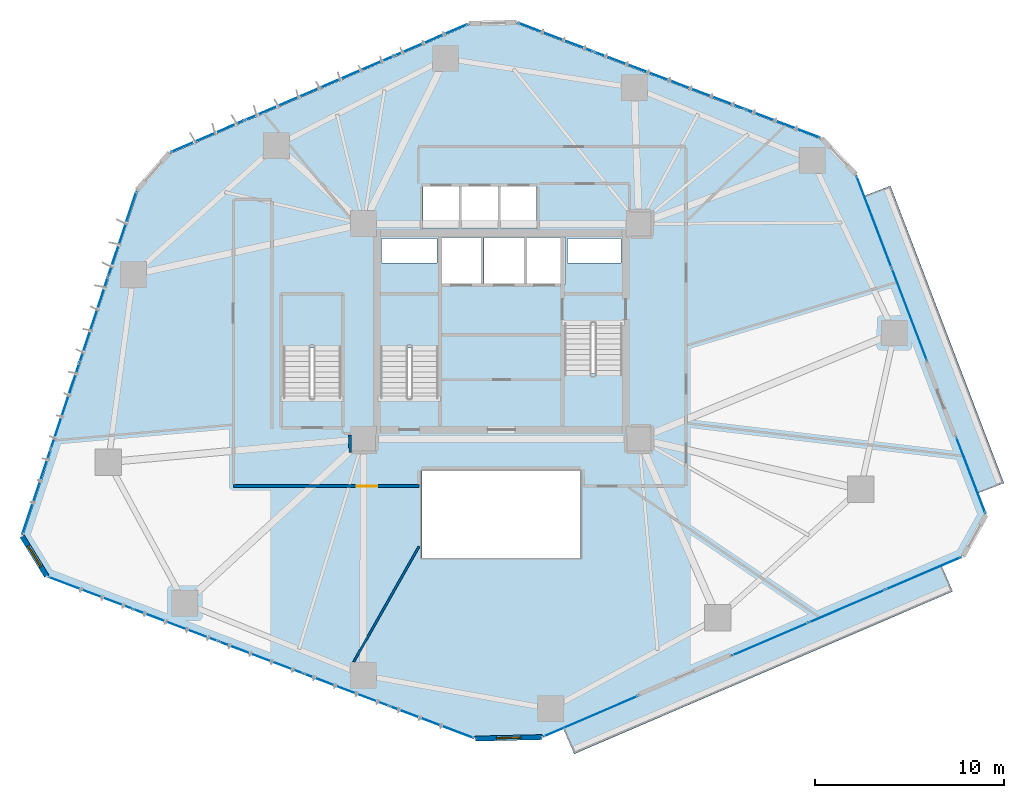
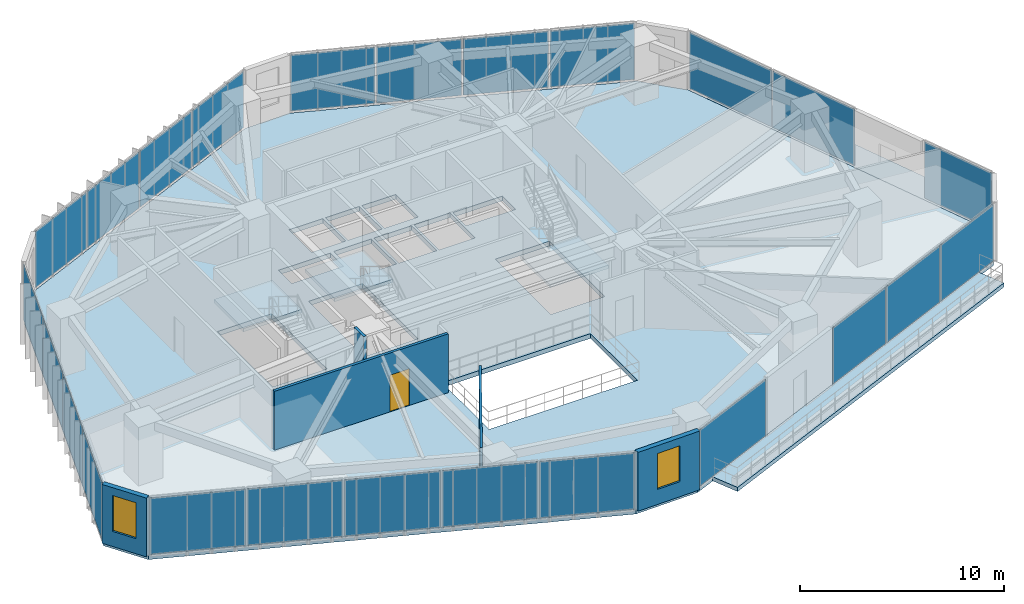
# One storey, part 17 of 23: 24 plates, 6 slabs, 5 walls, 2 windows, 1 door, 3 openings, 11 elements without a shape of their own.
"""IFC4 building model written with IfcOpenShell, lengths in metres."""

from ifc_helpers import new_model, si_unit, direction, frame, frame_2d, origin, origin_2d, place, context, subcontext, project, spatial, polyline, rectangle, outline, extrude, source, transform, mapped, material, layer, layer_set, type_object, type_shapes, element, fill, aggregate, save


model = new_model("IFC4")

# Units and contexts
model_context = context("Model", 3, precision=1e-05, world=origin(), true_north=direction((0.0, 1.0)))
body_context = subcontext(model_context, "Body", "Model", "MODEL_VIEW")
ifc_project = project(units=[si_unit("LENGTHUNIT", "METRE"), si_unit("AREAUNIT", "SQUARE_METRE"), si_unit("VOLUMEUNIT", "CUBIC_METRE"), si_unit("PLANEANGLEUNIT", "RADIAN"), si_unit("MASSUNIT", "GRAM", prefix="KILO")], contexts=[model_context])

# Site, building, storey
site_placement = place(None, origin())
site = spatial("IfcSite", under=ifc_project, at=site_placement, CompositionType="ELEMENT")
building_placement = place(site_placement, origin())
building = spatial("IfcBuilding", under=site, at=building_placement, Name="Talar Marvaseh", CompositionType="ELEMENT")
storey_placement = place(building_placement, frame((0.0, 0.0, 27.800048828125)))
storey = spatial("IfcBuildingStorey", under=building, at=storey_placement, Name="L06", CompositionType="ELEMENT", Elevation=27.800048828125)

# Slabs
ifc_material_1 = material(Name="Concrete C40/50", Category="concrete")
ifc_layer_1 = layer(ifc_material_1, 0.2451171875)
ifc_layer_set_1 = layer_set([ifc_layer_1], Name="Concrete C40/50")
slab_type_1 = type_object("IfcSlabType", Name="External Cantilevered Planted Terrace Slab 245", PredefinedType="FLOOR", material=ifc_layer_set_1)
slab_1_placement = place(storey_placement, frame((0.0, 0.0, -0.2451171875)))
element("IfcSlab", 1, at=slab_1_placement, inside=storey, type_object=slab_type_1, Name="L06 Planted Balcony Terrace 1", PredefinedType="FLOOR", context=body_context, shape_type="SweptSolid", body=[
    extrude(outline(polyline([(45.18115234375, 38.36279296875), (51.19921875, 22.606689453125), (52.647216796875, 23.15966796875), (46.629150390625, 38.916015625), (45.18115234375, 38.36279296875)])), origin(), (0.0, 0.0, 1.0), 0.2451171875),
])
slab_2_placement = place(storey_placement, frame((0.0, 0.0, -0.2451171875)))
element("IfcSlab", 2, at=slab_2_placement, inside=storey, type_object=slab_type_1, Name="L06 Planted Balcony Terrace 2", PredefinedType="FLOOR", context=body_context, shape_type="SweptSolid", body=[
    extrude(outline(polyline([(49.313720703125, 18.84326171875), (29.25830078125, 10.230224609375), (29.869873046875, 8.80615234375), (49.92529296875, 17.4189453125), (49.313720703125, 18.84326171875)])), origin(), (0.0, 0.0, 1.0), 0.2451171875),
])

# Stair, slab
stair_type = type_object("IfcStairType", Name="Reinforced Concrete Half-Turn Exit Stair Type B", PredefinedType="HALF_TURN_STAIR", material=ifc_material_1)
stair_1_placement = place(storey_placement, origin())
stair_1 = element("IfcStair", 3, at=stair_1_placement, inside=storey, type_object=stair_type, Name="L06 Tower West Core Exit Stair", PredefinedType="HALF_TURN_STAIR")
ifc_layer_2 = layer(ifc_material_1, 0.199951171875)
ifc_layer_set_2 = layer_set([ifc_layer_2], Name="Concrete C40/50")
slab_type_2 = type_object("IfcSlabType", Name="Reinforced Concrete Stair Half-Landing Slab 200", PredefinedType="LANDING", material=ifc_layer_set_2)
slab_3_placement = place(storey_placement, frame((0.0, 0.0, 1.699951171875)))
slab_3 = element("IfcSlab", 4, at=slab_3_placement, type_object=slab_type_2, Name="ST-1 landing 1", PredefinedType="LANDING", context=body_context, shape_type="SweptSolid", body=[
    extrude(outline(polyline([(22.780029296875, 30.330078125), (22.780029296875, 33.219970703125), (19.47998046875, 33.219970703125), (19.47998046875, 30.330078125), (22.780029296875, 30.330078125)])), origin(), (0.0, 0.0, 1.0), 0.199951171875),
])
aggregate(stair_1, [slab_3])

stair_2_placement = place(storey_placement, origin())
stair_2 = element("IfcStair", 5, at=stair_2_placement, inside=storey, type_object=stair_type, Name="L06 Tower East Core Exit Stair", PredefinedType="HALF_TURN_STAIR")
slab_4_placement = place(storey_placement, frame((0.0, 0.0, 1.699951171875)))
slab_4 = element("IfcSlab", 6, at=slab_4_placement, type_object=slab_type_2, Name="ST-2 landing 1", PredefinedType="LANDING", context=body_context, shape_type="SweptSolid", body=[
    extrude(outline(polyline([(29.219970703125, 28.969970703125), (29.219970703125, 26.080078125), (32.52001953125, 26.080078125), (32.52001953125, 28.969970703125), (29.219970703125, 28.969970703125)])), origin(), (0.0, 0.0, 1.0), 0.199951171875),
])
aggregate(stair_2, [slab_4])

stair_3_placement = place(storey_placement, origin())
stair_3 = element("IfcStair", 7, at=stair_3_placement, inside=storey, type_object=stair_type, Name="L06 Museum & Podium Auxiliary Exit Stair", PredefinedType="HALF_TURN_STAIR")
slab_5_placement = place(storey_placement, frame((0.0, 0.0, 1.699951171875)))
slab_5 = element("IfcSlab", 8, at=slab_5_placement, type_object=slab_type_2, Name="ST-3 landing 1", PredefinedType="LANDING", context=body_context, shape_type="SweptSolid", body=[
    extrude(outline(polyline([(17.6201171875, 30.330078125), (17.6201171875, 33.219970703125), (14.320068359375, 33.219970703125), (14.320068359375, 30.330078125), (17.6201171875, 30.330078125)])), origin(), (0.0, 0.0, 1.0), 0.199951171875),
])
aggregate(stair_3, [slab_5])

# Slab
ifc_layer_3 = layer(ifc_material_1, 0.280029296875)
ifc_layer_set_3 = layer_set([ifc_layer_3], Name="Concrete C40/50")
slab_type_3 = type_object("IfcSlabType", Name="Structural Suspended Floor Slab 280", PredefinedType="FLOOR", material=ifc_layer_set_3)
slab_6_placement = place(storey_placement, frame((0.0, 0.0, -0.280029296875)))
element("IfcSlab", 9, at=slab_6_placement, inside=storey, type_object=slab_type_3, Name="L06 Tower Floor Slab", PredefinedType="FLOOR", context=body_context, shape_type="SweptSolid", body=[
    extrude(outline(polyline([(1.9638671875, 18.259521484375), (0.659423828125, 20.37353515625), (6.7421875, 38.654541015625), (8.46728515625, 40.630615234375), (24.30615234375, 47.457763671875), (26.821533203125, 47.5126953125), (42.943115234375, 41.3828125), (44.7529296875, 39.48388671875), (51.627197265625, 21.485595703125), (50.416259765625, 19.316650390625), (28.155517578125, 9.7568359375), (24.620361328125, 9.6796875), (1.9638671875, 18.259521484375)]), holes=[polyline([(22.659912109375, 27.64990234375), (22.659912109375, 33.10009765625), (19.60009765625, 33.10009765625), (19.60009765625, 27.64990234375), (22.659912109375, 27.64990234375)]), polyline([(29.340087890625, 31.64990234375), (29.340087890625, 26.199951171875), (32.39990234375, 26.199951171875), (32.39990234375, 31.64990234375), (29.340087890625, 31.64990234375)]), polyline([(17.5, 27.64990234375), (17.5, 33.10009765625), (14.43994140625, 33.10009765625), (14.43994140625, 27.64990234375), (17.5, 27.64990234375)]), polyline([(22.800048828125, 33.719970703125), (24.93994140625, 33.719970703125), (24.93994140625, 36.179931640625), (22.800048828125, 36.179931640625), (22.800048828125, 33.719970703125)]), polyline([(25.080078125, 33.719970703125), (27.219970703125, 33.719970703125), (27.219970703125, 36.179931640625), (25.080078125, 36.179931640625), (25.080078125, 33.719970703125)]), polyline([(27.360107421875, 33.719970703125), (29.39990234375, 33.719970703125), (29.39990234375, 36.179931640625), (27.360107421875, 36.179931640625), (27.360107421875, 33.719970703125)]), polyline([(21.840087890625, 36.659912109375), (23.760009765625, 36.659912109375), (23.760009765625, 38.8798828125), (21.840087890625, 38.8798828125), (21.840087890625, 36.659912109375)]), polyline([(23.89990234375, 36.659912109375), (25.820068359375, 36.659912109375), (25.820068359375, 38.8798828125), (23.89990234375, 38.8798828125), (23.89990234375, 36.659912109375)]), polyline([(25.9599609375, 36.659912109375), (27.8798828125, 36.659912109375), (27.8798828125, 38.8798828125), (25.9599609375, 38.8798828125), (25.9599609375, 36.659912109375)]), polyline([(19.659912109375, 34.840087890625), (22.60009765625, 34.840087890625), (22.60009765625, 36.139892578125), (19.659912109375, 36.139892578125), (19.659912109375, 34.840087890625)]), polyline([(29.52001953125, 34.840087890625), (32.340087890625, 34.840087890625), (32.340087890625, 36.139892578125), (29.52001953125, 36.139892578125), (29.52001953125, 34.840087890625)]), polyline([(21.800048828125, 19.199951171875), (30.199951171875, 19.199951171875), (30.199951171875, 23.800048828125), (21.800048828125, 23.800048828125), (21.800048828125, 19.199951171875)])]), origin(), (0.0, 0.0, 1.0), 0.280029296875),
])

# Curtain wall, plates
ifc_material_2 = material(Name="Architectural Aluminium", Category="aluminium")
ifc_layer_4 = layer(ifc_material_2, 0.219970703125)
ifc_layer_set_4 = layer_set([ifc_layer_4], Name="Architectural Aluminium")
curtain_wall_type = type_object("IfcCurtainWallType", Name="Unitised Low-E Museum Curtain Wall Z1", PredefinedType="NOTDEFINED", material=ifc_layer_set_4)
curtain_wall_1_placement = place(storey_placement, origin())
curtain_wall_1 = element("IfcCurtainWall", 10, at=curtain_wall_1_placement, inside=storey, type_object=curtain_wall_type, Name="L06 Unitised Low-E Museum Curtain Wall Z1", PredefinedType="NOTDEFINED")
ifc_material_3 = material(Name="Laminated Low-E Solar Glass", Category="glass")
ifc_layer_5 = layer(ifc_material_3, 0.028076171875)
ifc_layer_set_5 = layer_set([ifc_layer_5], Name="Laminated Low-E Solar Glass")
plate_type = type_object("IfcPlateType", Name="Double-Glazed Low-E Vision Curtain Panel 28", PredefinedType="CURTAIN_PANEL", material=ifc_layer_set_5)
shared_shape_1 = source(origin(), body_context, "Body", "SweptSolid", [
    extrude(rectangle(XDim=4.696533203125, YDim=0.028076171875, at=origin_2d()), origin(), (0.0, 0.0, 1.0), 3.3701171875),
])
plate_1_placement = place(storey_placement, frame((1.369140625, 22.696533203125, 0.074951171875), z_axis=(0.0, 0.0, 1.0), x_axis=(0.3157154291, 0.948853923335, 0.0)))
plate_1 = element("IfcPlate", 11, at=plate_1_placement, type_object=plate_type, Name="CW-Z1 panel 1.1", PredefinedType="CURTAIN_PANEL", context=body_context, shape_type="MappedRepresentation", body=[
    mapped(shared_shape_1, transform((0.0, 0.0, 0.0), x_axis=(1.0, 0.0, 0.0), y_axis=(0.0, 1.0, 0.0), z_axis=(0.0, 0.0, 1.0), scale=1.0)),
])
plate_2_placement = place(storey_placement, frame((5.91845703125, 36.369384765625, 0.074951171875), z_axis=(0.0, 0.0, 1.0), x_axis=(0.3157154291, 0.948853923335, 0.0)))
plate_2 = element("IfcPlate", 12, at=plate_2_placement, type_object=plate_type, Name="CW-Z1 panel 4.1", PredefinedType="CURTAIN_PANEL", context=body_context, shape_type="MappedRepresentation", body=[
    mapped(shared_shape_1, transform((0.0, 0.0, 0.0), x_axis=(1.0, 0.0, 0.0), y_axis=(0.0, 1.0, 0.0), z_axis=(0.0, 0.0, 1.0), scale=1.0)),
])
shared_shape_2 = source(origin(), body_context, "Body", "SweptSolid", [
    extrude(rectangle(XDim=4.736572265625, YDim=0.028076171875, at=origin_2d()), origin(), (0.0, 0.0, 1.0), 3.3701171875),
])
plate_3_placement = place(storey_placement, frame((2.883544921875, 27.247802734375, 0.074951171875), z_axis=(0.0, 0.0, 1.0), x_axis=(0.3157154291, 0.948853923335, 0.0)))
plate_3 = element("IfcPlate", 13, at=plate_3_placement, type_object=plate_type, Name="CW-Z1 panel 2.1", PredefinedType="CURTAIN_PANEL", context=body_context, shape_type="MappedRepresentation", body=[
    mapped(shared_shape_2, transform((0.0, 0.0, 0.0), x_axis=(1.0, 0.0, 0.0), y_axis=(0.0, 1.0, 0.0), z_axis=(0.0, 0.0, 1.0), scale=1.0)),
])
plate_4_placement = place(storey_placement, frame((4.404296875, 31.818115234375, 0.074951171875), z_axis=(0.0, 0.0, 1.0), x_axis=(0.3157154291, 0.948853923335, 0.0)))
plate_4 = element("IfcPlate", 14, at=plate_4_placement, type_object=plate_type, Name="CW-Z1 panel 3.1", PredefinedType="CURTAIN_PANEL", context=body_context, shape_type="MappedRepresentation", body=[
    mapped(shared_shape_2, transform((0.0, 0.0, 0.0), x_axis=(1.0, 0.0, 0.0), y_axis=(0.0, 1.0, 0.0), z_axis=(0.0, 0.0, 1.0), scale=1.0)),
])
aggregate(curtain_wall_1, [plate_1, plate_3, plate_4, plate_2])

curtain_wall_2_placement = place(storey_placement, origin())
curtain_wall_2 = element("IfcCurtainWall", 15, at=curtain_wall_2_placement, inside=storey, type_object=curtain_wall_type, Name="L06 Unitised Low-E Museum Curtain Wall Z1", PredefinedType="NOTDEFINED")
shared_shape_3 = source(origin(), body_context, "Body", "SweptSolid", [
    extrude(rectangle(XDim=4.19189453125, YDim=0.028076171875, at=origin_2d()), origin(), (0.0, 0.0, 1.0), 3.3701171875),
])
plate_5_placement = place(storey_placement, frame((10.44189453125, 41.547119140625, 0.074951171875), z_axis=(0.0, 0.0, 1.0), x_axis=(0.918323432299, 0.395830865005, 0.0)))
plate_5 = element("IfcPlate", 16, at=plate_5_placement, type_object=plate_type, Name="CW-Z1 panel 1.1", PredefinedType="CURTAIN_PANEL", context=body_context, shape_type="MappedRepresentation", body=[
    mapped(shared_shape_3, transform((0.0, 0.0, 0.0), x_axis=(1.0, 0.0, 0.0), y_axis=(0.0, 1.0, 0.0), z_axis=(0.0, 0.0, 1.0), scale=1.0)),
])
plate_6_placement = place(storey_placement, frame((22.2841796875, 46.651611328125, 0.074951171875), z_axis=(0.0, 0.0, 1.0), x_axis=(0.918323432299, 0.395830865005, 0.0)))
plate_6 = element("IfcPlate", 17, at=plate_6_placement, type_object=plate_type, Name="CW-Z1 panel 4.1", PredefinedType="CURTAIN_PANEL", context=body_context, shape_type="MappedRepresentation", body=[
    mapped(shared_shape_3, transform((0.0, 0.0, 0.0), x_axis=(1.0, 0.0, 0.0), y_axis=(0.0, 1.0, 0.0), z_axis=(0.0, 0.0, 1.0), scale=1.0)),
])

curtain_wall_3_placement = place(storey_placement, origin())
curtain_wall_3 = element("IfcCurtainWall", 18, at=curtain_wall_3_placement, inside=storey, type_object=curtain_wall_type, Name="L06 Unitised Low-E Museum Curtain Wall Z1", PredefinedType="NOTDEFINED")
plate_7_placement = place(storey_placement, frame((28.876708984375, 46.79541015625, 0.074951171875), z_axis=(0.0, 0.0, 1.0), x_axis=(0.934714409578, -0.355399736252, 0.0)))
plate_7 = element("IfcPlate", 19, at=plate_7_placement, type_object=plate_type, Name="CW-Z1 panel 1.1", PredefinedType="CURTAIN_PANEL", context=body_context, shape_type="MappedRepresentation", body=[
    mapped(shared_shape_3, transform((0.0, 0.0, 0.0), x_axis=(1.0, 0.0, 0.0), y_axis=(0.0, 1.0, 0.0), z_axis=(0.0, 0.0, 1.0), scale=1.0)),
])
plate_8_placement = place(storey_placement, frame((40.9306640625, 42.21240234375, 0.074951171875), z_axis=(0.0, 0.0, 1.0), x_axis=(0.934714409578, -0.355399736252, 0.0)))
plate_8 = element("IfcPlate", 20, at=plate_8_placement, type_object=plate_type, Name="CW-Z1 panel 4.1", PredefinedType="CURTAIN_PANEL", context=body_context, shape_type="MappedRepresentation", body=[
    mapped(shared_shape_3, transform((0.0, 0.0, 0.0), x_axis=(1.0, 0.0, 0.0), y_axis=(0.0, 1.0, 0.0), z_axis=(0.0, 0.0, 1.0), scale=1.0)),
])

# Plate
shared_shape_4 = source(origin(), body_context, "Body", "SweptSolid", [
    extrude(rectangle(XDim=4.23193359375, YDim=0.028076171875, at=origin_2d()), origin(), (0.0, 0.0, 1.0), 3.3701171875),
])
plate_9_placement = place(storey_placement, frame((14.38330078125, 43.245849609375, 0.074951171875), z_axis=(0.0, 0.0, 1.0), x_axis=(0.918323432299, 0.395830865005, 0.0)))
plate_9 = element("IfcPlate", 21, at=plate_9_placement, type_object=plate_type, Name="CW-Z1 panel 2.1", PredefinedType="CURTAIN_PANEL", context=body_context, shape_type="MappedRepresentation", body=[
    mapped(shared_shape_4, transform((0.0, 0.0, 0.0), x_axis=(1.0, 0.0, 0.0), y_axis=(0.0, 1.0, 0.0), z_axis=(0.0, 0.0, 1.0), scale=1.0)),
])

plate_10_placement = place(storey_placement, frame((18.343017578125, 44.95263671875, 0.074951171875), z_axis=(0.0, 0.0, 1.0), x_axis=(0.918323432299, 0.395830865005, 0.0)))
plate_10 = element("IfcPlate", 22, at=plate_10_placement, type_object=plate_type, Name="CW-Z1 panel 3.1", PredefinedType="CURTAIN_PANEL", context=body_context, shape_type="MappedRepresentation", body=[
    mapped(shared_shape_4, transform((0.0, 0.0, 0.0), x_axis=(1.0, 0.0, 0.0), y_axis=(0.0, 1.0, 0.0), z_axis=(0.0, 0.0, 1.0), scale=1.0)),
])

aggregate(curtain_wall_2, [plate_5, plate_9, plate_10, plate_6])

plate_11_placement = place(storey_placement, frame((32.888427734375, 45.27001953125, 0.074951171875), z_axis=(0.0, 0.0, 1.0), x_axis=(0.934714409578, -0.355399736252, 0.0)))
plate_11 = element("IfcPlate", 23, at=plate_11_placement, type_object=plate_type, Name="CW-Z1 panel 2.1", PredefinedType="CURTAIN_PANEL", context=body_context, shape_type="MappedRepresentation", body=[
    mapped(shared_shape_4, transform((0.0, 0.0, 0.0), x_axis=(1.0, 0.0, 0.0), y_axis=(0.0, 1.0, 0.0), z_axis=(0.0, 0.0, 1.0), scale=1.0)),
])

plate_12_placement = place(storey_placement, frame((36.9189453125, 43.73779296875, 0.074951171875), z_axis=(0.0, 0.0, 1.0), x_axis=(0.934714409578, -0.355399736252, 0.0)))
plate_12 = element("IfcPlate", 24, at=plate_12_placement, type_object=plate_type, Name="CW-Z1 panel 3.1", PredefinedType="CURTAIN_PANEL", context=body_context, shape_type="MappedRepresentation", body=[
    mapped(shared_shape_4, transform((0.0, 0.0, 0.0), x_axis=(1.0, 0.0, 0.0), y_axis=(0.0, 1.0, 0.0), z_axis=(0.0, 0.0, 1.0), scale=1.0)),
])

aggregate(curtain_wall_3, [plate_7, plate_11, plate_12, plate_8])

# Curtain wall, plates
curtain_wall_4_placement = place(storey_placement, origin())
curtain_wall_4 = element("IfcCurtainWall", 25, at=curtain_wall_4_placement, inside=storey, type_object=curtain_wall_type, Name="L06 Unitised Low-E Museum Curtain Wall Z1", PredefinedType="NOTDEFINED")
shared_shape_5 = source(origin(), body_context, "Body", "SweptSolid", [
    extrude(rectangle(XDim=4.725341796875, YDim=0.028076171875, at=origin_2d()), origin(), (0.0, 0.0, 1.0), 3.3701171875),
])
plate_13_placement = place(storey_placement, frame((22.31494140625, 10.48876953125, 0.074951171875), z_axis=(0.0, 0.0, 1.0), x_axis=(-0.935189626802, 0.354147373167, 0.0)))
plate_13 = element("IfcPlate", 26, at=plate_13_placement, type_object=plate_type, Name="CW-Z1 panel 1.1", PredefinedType="CURTAIN_PANEL", context=body_context, shape_type="MappedRepresentation", body=[
    mapped(shared_shape_5, transform((0.0, 0.0, 0.0), x_axis=(1.0, 0.0, 0.0), y_axis=(0.0, 1.0, 0.0), z_axis=(0.0, 0.0, 1.0), scale=1.0)),
])
plate_14_placement = place(storey_placement, frame((4.22705078125, 17.33837890625, 0.074951171875), z_axis=(0.0, 0.0, 1.0), x_axis=(-0.935189626802, 0.354147373167, 0.0)))
plate_14 = element("IfcPlate", 27, at=plate_14_placement, type_object=plate_type, Name="CW-Z1 panel 5.1", PredefinedType="CURTAIN_PANEL", context=body_context, shape_type="MappedRepresentation", body=[
    mapped(shared_shape_5, transform((0.0, 0.0, 0.0), x_axis=(1.0, 0.0, 0.0), y_axis=(0.0, 1.0, 0.0), z_axis=(0.0, 0.0, 1.0), scale=1.0)),
])
shared_shape_6 = source(origin(), body_context, "Body", "SweptSolid", [
    extrude(rectangle(XDim=4.765380859375, YDim=0.028076171875, at=origin_2d()), origin(), (0.0, 0.0, 1.0), 3.3701171875),
])
plate_15_placement = place(storey_placement, frame((17.80224609375, 12.197509765625, 0.074951171875), z_axis=(0.0, 0.0, 1.0), x_axis=(-0.935189626802, 0.354147373167, 0.0)))
plate_15 = element("IfcPlate", 28, at=plate_15_placement, type_object=plate_type, Name="CW-Z1 panel 2.1", PredefinedType="CURTAIN_PANEL", context=body_context, shape_type="MappedRepresentation", body=[
    mapped(shared_shape_6, transform((0.0, 0.0, 0.0), x_axis=(1.0, 0.0, 0.0), y_axis=(0.0, 1.0, 0.0), z_axis=(0.0, 0.0, 1.0), scale=1.0)),
])
plate_16_placement = place(storey_placement, frame((13.27099609375, 13.91357421875, 0.074951171875), z_axis=(0.0, 0.0, 1.0), x_axis=(-0.935189626802, 0.354147373167, 0.0)))
plate_16 = element("IfcPlate", 29, at=plate_16_placement, type_object=plate_type, Name="CW-Z1 panel 3.1", PredefinedType="CURTAIN_PANEL", context=body_context, shape_type="MappedRepresentation", body=[
    mapped(shared_shape_6, transform((0.0, 0.0, 0.0), x_axis=(1.0, 0.0, 0.0), y_axis=(0.0, 1.0, 0.0), z_axis=(0.0, 0.0, 1.0), scale=1.0)),
])
plate_17_placement = place(storey_placement, frame((8.73974609375, 15.62939453125, 0.074951171875), z_axis=(0.0, 0.0, 1.0), x_axis=(-0.935189626802, 0.354147373167, 0.0)))
plate_17 = element("IfcPlate", 30, at=plate_17_placement, type_object=plate_type, Name="CW-Z1 panel 4.1", PredefinedType="CURTAIN_PANEL", context=body_context, shape_type="MappedRepresentation", body=[
    mapped(shared_shape_6, transform((0.0, 0.0, 0.0), x_axis=(1.0, 0.0, 0.0), y_axis=(0.0, 1.0, 0.0), z_axis=(0.0, 0.0, 1.0), scale=1.0)),
])
aggregate(curtain_wall_4, [plate_13, plate_15, plate_16, plate_17, plate_14])

curtain_wall_5_placement = place(storey_placement, origin())
curtain_wall_5 = element("IfcCurtainWall", 31, at=curtain_wall_5_placement, inside=storey, type_object=curtain_wall_type, Name="L06 Unitised Low-E Museum Curtain Wall Z1", PredefinedType="NOTDEFINED")
shared_shape_7 = source(origin(), body_context, "Body", "SweptSolid", [
    extrude(rectangle(XDim=5.17822265625, YDim=0.028076171875, at=origin_2d()), origin(), (0.0, 0.0, 1.0), 3.3701171875),
])
plate_18_placement = place(storey_placement, frame((45.761474609375, 37.011962890625, 0.074951171875), z_axis=(0.0, 0.0, 1.0), x_axis=(0.356803992918, -0.934179271145, 0.0)))
plate_18 = element("IfcPlate", 32, at=plate_18_placement, type_object=plate_type, Name="CW-Z1 panel 1.1", PredefinedType="CURTAIN_PANEL", context=body_context, shape_type="MappedRepresentation", body=[
    mapped(shared_shape_7, transform((0.0, 0.0, 0.0), x_axis=(1.0, 0.0, 0.0), y_axis=(0.0, 1.0, 0.0), z_axis=(0.0, 0.0, 1.0), scale=1.0)),
])
plate_19_placement = place(storey_placement, frame((47.6376953125, 32.099609375, 0.074951171875), z_axis=(0.0, 0.0, 1.0), x_axis=(0.356803992918, -0.934179271145, 0.0)))
plate_19 = element("IfcPlate", 33, at=plate_19_placement, type_object=plate_type, Name="CW-Z1 panel 2.1", PredefinedType="CURTAIN_PANEL", context=body_context, shape_type="MappedRepresentation", body=[
    mapped(shared_shape_7, transform((0.0, 0.0, 0.0), x_axis=(1.0, 0.0, 0.0), y_axis=(0.0, 1.0, 0.0), z_axis=(0.0, 0.0, 1.0), scale=1.0)),
])
aggregate(curtain_wall_5, [plate_18, plate_19])

# Curtain wall, plate
curtain_wall_6_placement = place(storey_placement, origin())
curtain_wall_6 = element("IfcCurtainWall", 34, at=curtain_wall_6_placement, inside=storey, type_object=curtain_wall_type, Name="L06 Unitised Low-E Museum Curtain Wall Z1", PredefinedType="NOTDEFINED")
shared_shape_8 = source(origin(), body_context, "Body", "SweptSolid", [
    extrude(rectangle(XDim=4.271240234375, YDim=0.028076171875, at=origin_2d()), origin(), (0.0, 0.0, 1.0), 3.3701171875),
])
plate_20_placement = place(storey_placement, frame((50.892822265625, 23.576904296875, 0.074951171875), z_axis=(0.0, 0.0, 1.0), x_axis=(0.3568050547, -0.934178865604, 0.0)))
plate_20 = element("IfcPlate", 35, at=plate_20_placement, type_object=plate_type, Name="CW-Z1 panel 1.1", PredefinedType="CURTAIN_PANEL", context=body_context, shape_type="MappedRepresentation", body=[
    mapped(shared_shape_8, transform((0.0, 0.0, 0.0), x_axis=(1.0, 0.0, 0.0), y_axis=(0.0, 1.0, 0.0), z_axis=(0.0, 0.0, 1.0), scale=1.0)),
])
aggregate(curtain_wall_6, [plate_20])

# Curtain wall, plates
curtain_wall_7_placement = place(storey_placement, origin())
curtain_wall_7 = element("IfcCurtainWall", 36, at=curtain_wall_7_placement, inside=storey, type_object=curtain_wall_type, Name="L06 Unitised Low-E Museum Curtain Wall Z1", PredefinedType="NOTDEFINED")
shared_shape_9 = source(origin(), body_context, "Body", "SweptSolid", [
    extrude(rectangle(XDim=4.321533203125, YDim=0.028076171875, at=origin_2d()), origin(), (0.0, 0.0, 1.0), 3.3701171875),
])
plate_21_placement = place(storey_placement, frame((48.381103515625, 18.37744140625, 0.074951171875), z_axis=(0.0, 0.0, 1.0), x_axis=(-0.918853252299, -0.394599418067, 0.0)))
plate_21 = element("IfcPlate", 37, at=plate_21_placement, type_object=plate_type, Name="CW-Z1 panel 1.1", PredefinedType="CURTAIN_PANEL", context=body_context, shape_type="MappedRepresentation", body=[
    mapped(shared_shape_9, transform((0.0, 0.0, 0.0), x_axis=(1.0, 0.0, 0.0), y_axis=(0.0, 1.0, 0.0), z_axis=(0.0, 0.0, 1.0), scale=1.0)),
])
plate_22_placement = place(storey_placement, frame((40.255615234375, 14.887939453125, 0.074951171875), z_axis=(0.0, 0.0, 1.0), x_axis=(-0.918853252299, -0.394599418067, 0.0)))
plate_22 = element("IfcPlate", 38, at=plate_22_placement, type_object=plate_type, Name="CW-Z1 panel 3.1", PredefinedType="CURTAIN_PANEL", context=body_context, shape_type="MappedRepresentation", body=[
    mapped(shared_shape_9, transform((0.0, 0.0, 0.0), x_axis=(1.0, 0.0, 0.0), y_axis=(0.0, 1.0, 0.0), z_axis=(0.0, 0.0, 1.0), scale=1.0)),
])
shared_shape_10 = source(origin(), body_context, "Body", "SweptSolid", [
    extrude(rectangle(XDim=4.361572265625, YDim=0.028076171875, at=origin_2d()), origin(), (0.0, 0.0, 1.0), 3.3701171875),
])
plate_23_placement = place(storey_placement, frame((44.318359375, 16.632568359375, 0.074951171875), z_axis=(0.0, 0.0, 1.0), x_axis=(-0.918853252299, -0.394599418067, 0.0)))
plate_23 = element("IfcPlate", 39, at=plate_23_placement, type_object=plate_type, Name="CW-Z1 panel 2.1", PredefinedType="CURTAIN_PANEL", context=body_context, shape_type="MappedRepresentation", body=[
    mapped(shared_shape_10, transform((0.0, 0.0, 0.0), x_axis=(1.0, 0.0, 0.0), y_axis=(0.0, 1.0, 0.0), z_axis=(0.0, 0.0, 1.0), scale=1.0)),
])
aggregate(curtain_wall_7, [plate_21, plate_23, plate_22])

# Curtain wall, plate
curtain_wall_8_placement = place(storey_placement, origin())
curtain_wall_8 = element("IfcCurtainWall", 40, at=curtain_wall_8_placement, inside=storey, type_object=curtain_wall_type, Name="L06 Unitised Low-E Museum Curtain Wall Z1", PredefinedType="NOTDEFINED")
shared_shape_11 = source(origin(), body_context, "Body", "SweptSolid", [
    extrude(rectangle(XDim=5.412109375, YDim=0.028076171875, at=origin_2d()), origin(), (0.0, 0.0, 1.0), 3.3701171875),
])
type_shapes(plate_type, [shared_shape_1, shared_shape_2, shared_shape_3, shared_shape_4, shared_shape_5, shared_shape_6, shared_shape_7, shared_shape_8, shared_shape_9, shared_shape_10, shared_shape_11])
plate_24_placement = place(storey_placement, frame((30.7392578125, 10.801025390625, 0.074951171875), z_axis=(0.0, 0.0, 1.0), x_axis=(-0.918851445725, -0.39460362478, 0.0)))
plate_24 = element("IfcPlate", 41, at=plate_24_placement, type_object=plate_type, Name="CW-Z1 panel 1.1", PredefinedType="CURTAIN_PANEL", context=body_context, shape_type="MappedRepresentation", body=[
    mapped(shared_shape_11, transform((0.0, 0.0, 0.0), x_axis=(1.0, 0.0, 0.0), y_axis=(0.0, 1.0, 0.0), z_axis=(0.0, 0.0, 1.0), scale=1.0)),
])
aggregate(curtain_wall_8, [plate_24])

# Wall, opening, window
ifc_material_4 = material(Name="Precast concrete C45/55", Category="concrete")
ifc_layer_6 = layer(ifc_material_4, 0.27001953125)
ifc_layer_set_6 = layer_set([ifc_layer_6], Name="Precast concrete C45/55")
wall_type_1 = type_object("IfcWallType", Name="Chamfered Hexagonal Corner Pier Wall Z1 270", PredefinedType="SOLIDWALL", material=ifc_layer_set_6)
wall_1_placement = place(storey_placement, frame((1.912841796875, 18.22802734375, 0.0), z_axis=(0.0, 0.0, 1.0), x_axis=(-0.525122472109, 0.851026667788, 0.0)))
wall_1 = element("IfcWall", 42, at=wall_1_placement, inside=storey, type_object=wall_type_1, Name="L06 Chamfered Corner Limestone Pier 1", PredefinedType="SOLIDWALL", context=body_context, shape_type="SweptSolid", body=[
    extrude(rectangle(XDim=2.484130859375, YDim=0.27001953125, at=frame_2d((1.2421875, 0.0))), origin(), (0.0, 0.0, 1.0), 3.52001953125),
])
opening_1_placement = place(wall_1_placement, frame((0.592041015625, 0.0, 0.89990234375)))
opening_1 = element("IfcOpeningElement", 43, at=opening_1_placement, cuts=wall_1, Name="Opening WN-CHM13", PredefinedType="OPENING", context=body_context, shape_type="SweptSolid", body=[
    extrude(rectangle(XDim=1.300048828125, YDim=2.14990234375, at=frame_2d((0.64990234375, 1.074951171875))), frame((0.0, 0.14501953125, 0.0), z_axis=(0.0, -1.0, 0.0), x_axis=(1.0, 0.0, 0.0)), (0.0, 0.0, 1.0), 0.2900390625),
])
window_type = type_object("IfcWindowType", Name="Zone 1 Chamfered Corner Slot Window 1300x2150", PartitioningType="SINGLE_PANEL", PredefinedType="WINDOW", material=ifc_material_3)
shared_shape_12 = source(origin(), body_context, "Body", "SweptSolid", [
    extrude(rectangle(XDim=1.300048828125, YDim=2.14990234375, at=frame_2d((0.64990234375, 1.074951171875))), frame((0.0, 0.030029296875, 0.0), z_axis=(0.0, -1.0, 0.0), x_axis=(1.0, 0.0, 0.0)), (0.0, 0.0, 1.0), 0.06005859375),
])
type_shapes(window_type, [shared_shape_12])
window_1_placement = place(opening_1_placement, origin())
window_1 = element("IfcWindow", 44, at=window_1_placement, inside=storey, type_object=window_type, Name="L06 Chamfered Corner Slot Window", OverallHeight=2.14990234375, OverallWidth=1.300048828125, PartitioningType="SINGLE_PANEL", PredefinedType="WINDOW", context=body_context, shape_type="MappedRepresentation", body=[
    mapped(shared_shape_12, transform((0.0, 0.0, 0.0), x_axis=(1.0, 0.0, 0.0), y_axis=(0.0, 1.0, 0.0), z_axis=(0.0, 0.0, 1.0), scale=1.0)),
])
fill(opening_1, window_1)

wall_2_placement = place(storey_placement, frame((28.156982421875, 9.69677734375, 0.0), z_axis=(0.0, 0.0, 1.0), x_axis=(-0.99976199176, -0.021816503653, 0.0)))
wall_2 = element("IfcWall", 45, at=wall_2_placement, inside=storey, type_object=wall_type_1, Name="L06 Chamfered Corner Limestone Pier 6", PredefinedType="SOLIDWALL", context=body_context, shape_type="SweptSolid", body=[
    extrude(rectangle(XDim=3.5361328125, YDim=0.27001953125, at=frame_2d((1.76806640625, 0.0))), origin(), (0.0, 0.0, 1.0), 3.52001953125),
])
opening_2_placement = place(wall_2_placement, frame((1.117919921875, 0.0, 0.89990234375)))
opening_2 = element("IfcOpeningElement", 46, at=opening_2_placement, cuts=wall_2, Name="Opening WN-CHM13", PredefinedType="OPENING", context=body_context, shape_type="SweptSolid", body=[
    extrude(rectangle(XDim=1.300048828125, YDim=2.14990234375, at=frame_2d((0.64990234375, 1.074951171875))), frame((0.0, 0.14501953125, 0.0), z_axis=(0.0, -1.0, 0.0), x_axis=(1.0, 0.0, 0.0)), (0.0, 0.0, 1.0), 0.2900390625),
])
window_2_placement = place(opening_2_placement, origin())
window_2 = element("IfcWindow", 47, at=window_2_placement, inside=storey, type_object=window_type, Name="L06 Chamfered Corner Slot Window", OverallHeight=2.14990234375, OverallWidth=1.300048828125, PartitioningType="SINGLE_PANEL", PredefinedType="WINDOW", context=body_context, shape_type="MappedRepresentation", body=[
    mapped(shared_shape_12, transform((0.0, 0.0, 0.0), x_axis=(1.0, 0.0, 0.0), y_axis=(0.0, 1.0, 0.0), z_axis=(0.0, 0.0, 1.0), scale=1.0)),
])
fill(opening_2, window_2)

# Wall, opening, door
ifc_material_5 = material(Name="Gypsum Board Partition Assembly")
ifc_layer_7 = layer(ifc_material_5, 0.155029296875)
ifc_layer_set_7 = layer_set([ifc_layer_7], Name="Gypsum Board Partition Assembly")
wall_type_2 = type_object("IfcWallType", Name="Corridor Fire-Rated Acoustic Partition 155", PredefinedType="PARTITIONING", material=ifc_layer_set_7)
wall_3_placement = place(storey_placement, frame((21.639892578125, 23.0, 0.0), z_axis=(0.0, 0.0, 1.0), x_axis=(-1.0, 0.0, 0.0)))
wall_3 = element("IfcWall", 48, at=wall_3_placement, inside=storey, type_object=wall_type_2, Name="L06 Interior Partition Wall", PredefinedType="PARTITIONING", context=body_context, shape_type="SweptSolid", body=[
    extrude(rectangle(XDim=9.83984375, YDim=0.155029296875, at=frame_2d((4.919921875, 0.0))), origin(), (0.0, 0.0, 1.0), 3.52001953125),
])
opening_3_placement = place(wall_3_placement, frame((2.205078125, 0.0, 0.0)))
opening_3 = element("IfcOpeningElement", 49, at=opening_3_placement, cuts=wall_3, Name="Opening DR-RM110", PredefinedType="OPENING", context=body_context, shape_type="SweptSolid", body=[
    extrude(rectangle(XDim=1.10009765625, YDim=2.199951171875, at=frame_2d((0.550048828125, 1.10009765625))), frame((0.0, 0.08740234375, 0.0), z_axis=(0.0, -1.0, 0.0), x_axis=(1.0, 0.0, 0.0)), (0.0, 0.0, 1.0), 0.175048828125),
])
ifc_material_6 = material(Name="Acoustic Engineered Oak Timber", Category="wood")
door_type = type_object("IfcDoorType", Name="Assembly and Reading Hall Door 1100x2200", OperationType="NOTDEFINED", PredefinedType="DOOR", material=ifc_material_6)
shared_shape_13 = source(origin(), body_context, "Body", "SweptSolid", [
    extrude(rectangle(XDim=1.10009765625, YDim=2.199951171875, at=frame_2d((0.550048828125, 1.10009765625))), frame((0.0, 0.02490234375, 0.0), z_axis=(0.0, -1.0, 0.0), x_axis=(1.0, 0.0, 0.0)), (0.0, 0.0, 1.0), 0.050048828125),
])
type_shapes(door_type, [shared_shape_13])
door_placement = place(opening_3_placement, origin())
door = element("IfcDoor", 50, at=door_placement, inside=storey, type_object=door_type, Name="L06 Exhibition Gallery Door", OperationType="SINGLE_SWING_LEFT", OverallHeight=2.199951171875, OverallWidth=1.10009765625, PredefinedType="DOOR", context=body_context, shape_type="MappedRepresentation", body=[
    mapped(shared_shape_13, transform((0.0, 0.0, 0.0), x_axis=(1.0, 0.0, 0.0), y_axis=(0.0, 1.0, 0.0), z_axis=(0.0, 0.0, 1.0), scale=1.0)),
])
fill(opening_3, door)

# Walls
wall_4_placement = place(storey_placement, frame((17.986083984375, 25.716552734375, 0.0), z_axis=(0.0, 0.0, 1.0), x_axis=(0.013367088724, -0.999910656478, 0.0)))
element("IfcWall", 51, at=wall_4_placement, inside=storey, type_object=wall_type_2, Name="L06 Interior Partition Wall", PredefinedType="PARTITIONING", context=body_context, shape_type="SweptSolid", body=[
    extrude(rectangle(XDim=0.931396484375, YDim=0.155029296875, at=frame_2d((0.4658203125, 0.0))), origin(), (0.0, 0.0, 1.0), 3.52001953125),
])
ifc_layer_8 = layer(ifc_material_5, 0.1201171875)
ifc_layer_set_8 = layer_set([ifc_layer_8], Name="Gypsum Board Partition Assembly")
wall_type_3 = type_object("IfcWallType", Name="Demountable Studio Room Partition 120", PredefinedType="PARTITIONING", material=ifc_layer_set_8)
wall_5_placement = place(storey_placement, frame((21.639892578125, 19.800048828125, 0.0), z_axis=(0.0, 0.0, 1.0), x_axis=(-0.492750244741, -0.870170785713, 0.0)))
element("IfcWall", 52, at=wall_5_placement, inside=storey, type_object=wall_type_3, Name="L06 Interior Partition Wall", PredefinedType="PARTITIONING", context=body_context, shape_type="SweptSolid", body=[
    extrude(rectangle(XDim=7.021728515625, YDim=0.1201171875, at=frame_2d((3.5107421875, 0.0))), origin(), (0.0, 0.0, 1.0), 3.52001953125),
])

save(model, "model.ifc")
